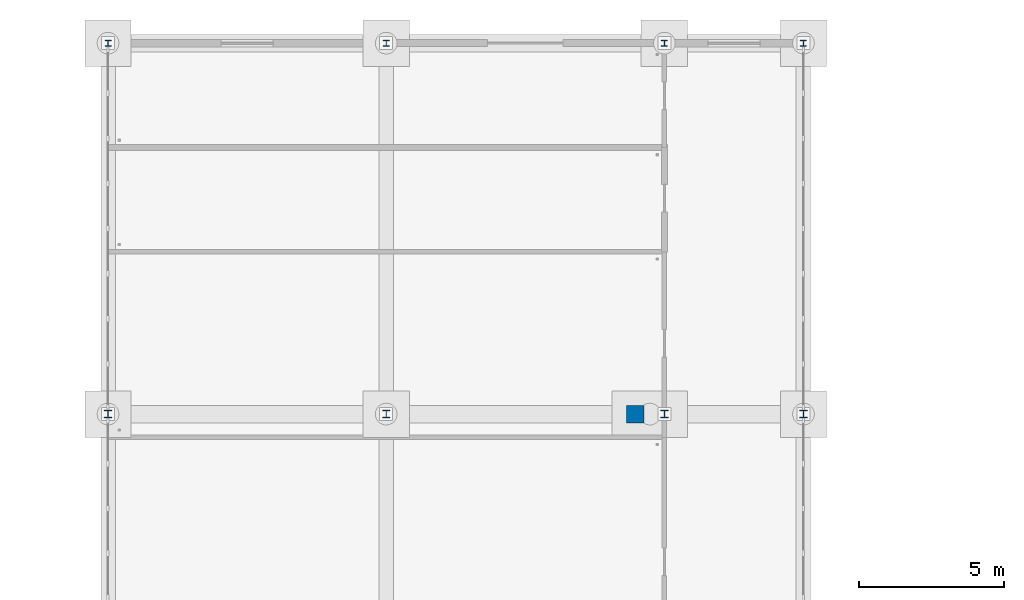
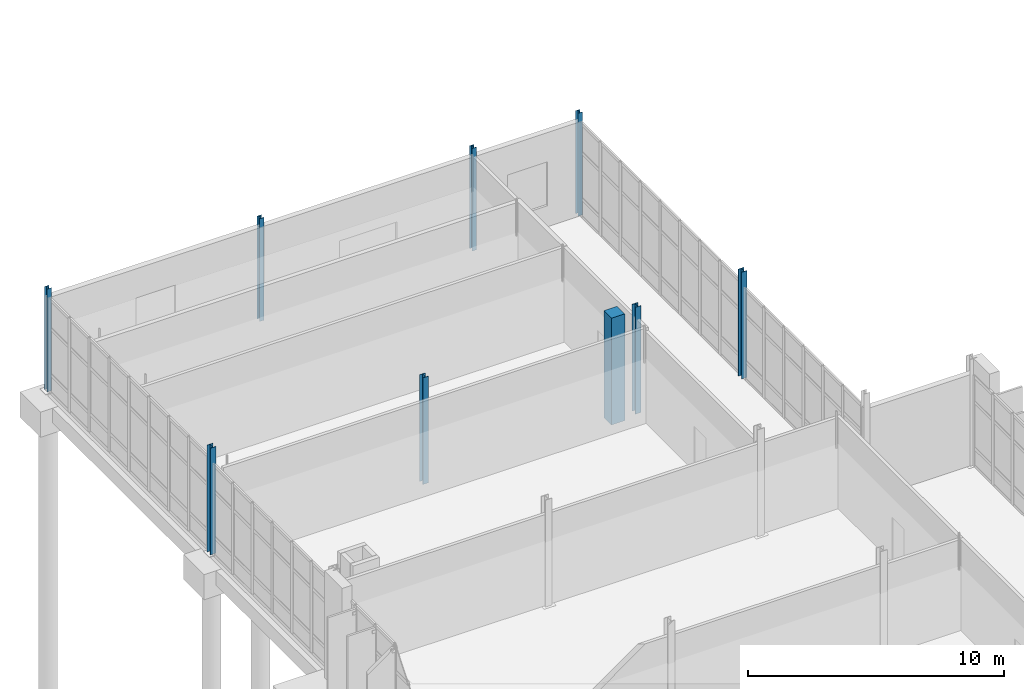
# One storey, part 17 of 111: 9 columns.
"""IFC4 building model written with IfcOpenShell, lengths in metres."""

from ifc_helpers import new_model, si_unit, direction, frame, origin, origin_2d, place, context, subcontext, project, spatial, rectangle, i_section, extrude, material, material_profile, profile_set, type_object, element, save


model = new_model("IFC4")

# Units and contexts
model_context = context("Model", 3, precision=1e-05, world=origin(), true_north=direction((0.0, 1.0)))
body_context = subcontext(model_context, "Body", "Model", "MODEL_VIEW")
ifc_project = project(units=[si_unit("LENGTHUNIT", "METRE"), si_unit("AREAUNIT", "SQUARE_METRE"), si_unit("VOLUMEUNIT", "CUBIC_METRE"), si_unit("PLANEANGLEUNIT", "RADIAN"), si_unit("MASSUNIT", "GRAM", prefix="KILO")], contexts=[model_context])

# Site, building, storey
site_placement = place(None, origin())
site = spatial("IfcSite", under=ifc_project, at=site_placement, CompositionType="ELEMENT")
building_placement = place(site_placement, origin())
building = spatial("IfcBuilding", under=site, at=building_placement, Name="Dunescarp Central Library", CompositionType="ELEMENT")
storey_placement = place(building_placement, origin())
storey = spatial("IfcBuildingStorey", under=building, at=storey_placement, Name="L00", CompositionType="ELEMENT", Elevation=0.0)

# Columns
ifc_material_1 = material(Name="Concrete C40/50", Category="concrete")
ifc_material_profile_1 = material_profile(ifc_material_1, rectangle(XDim=0.60009765625, YDim=0.60009765625, at=origin_2d()), Name="RC 600x600")
ifc_profile_set_1 = profile_set([ifc_material_profile_1], Name="Concrete C40/50")
column_type_1 = type_object("IfcColumnType", Name="STR-COL-RC600", PredefinedType="COLUMN", material=ifc_profile_set_1)
column_placement = place(storey_placement, frame((18.199951171875, 99.199951171875, 0.0), z_axis=(0.0, 0.0, 1.0), x_axis=(1.0, 0.0, 0.0)))
element("IfcColumn", 1, at=column_placement, inside=storey, type_object=column_type_1, Name="L00 column TERP-182-992", PredefinedType="COLUMN", context=body_context, shape_type="SweptSolid", body=[
    extrude(rectangle(XDim=0.60009765625, YDim=0.60009765625, at=origin_2d()), origin(), (0.0, 0.0, 1.0), 5.10009765625),
])
ifc_material_2 = material(Name="Steel S355JR", Category="steel")
ifc_material_profile_2 = material_profile(ifc_material_2, i_section(OverallWidth=0.205810546875, OverallDepth=0.209716796875, WebThickness=0.009521484375, FlangeThickness=0.01416015625, at=origin_2d()), Name="UC 203x203x60")
ifc_profile_set_2 = profile_set([ifc_material_profile_2], Name="Steel S355JR")
column_type_2 = type_object("IfcColumnType", Name="STR-COL-UC203X60", PredefinedType="COLUMN", material=ifc_profile_set_2)
for number, where, z_axis, x_axis, name in (
    (2, (0.0, 112.0, 0.0), (0.0, 0.0, 1.0), (1.0, 0.0, 0.0), "L00 column V4N2-0"),
    (3, (9.60009765625, 112.0, 0.0), (0.0, 0.0, 1.0), (1.0, 0.0, 0.0), "L00 column V4N2-96"),
    (4, (19.199951171875, 112.0, 0.0), (0.0, 0.0, 1.0), (1.0, 0.0, 0.0), "L00 column V4N2-192"),
    (5, (24.0, 112.0, 0.0), (0.0, 0.0, 1.0), (1.0, 0.0, 0.0), "L00 column V4N2-240"),
):
    element("IfcColumn", number, at=place(storey_placement, frame(where, z_axis=z_axis, x_axis=x_axis)), inside=storey, type_object=column_type_2, Name=name, PredefinedType="COLUMN", context=body_context, shape_type="SweptSolid", body=[
        extrude(i_section(OverallWidth=0.205810546875, OverallDepth=0.209716796875, WebThickness=0.009521484375, FlangeThickness=0.01416015625, at=origin_2d()), origin(), (0.0, 0.0, 1.0), 4.909912109375),
    ])
ifc_material_profile_3 = material_profile(ifc_material_2, i_section(OverallWidth=0.25634765625, OverallDepth=0.26025390625, WebThickness=0.01025390625, FlangeThickness=0.017333984375, at=origin_2d()), Name="UC 254x254x89")
ifc_profile_set_3 = profile_set([ifc_material_profile_3], Name="Steel S355JR")
column_type_3 = type_object("IfcColumnType", Name="STR-COL-UC254X89", PredefinedType="COLUMN", material=ifc_profile_set_3)
for number, where, z_axis, x_axis, name in (
    (6, (0.0, 99.199951171875, 0.0), (0.0, 0.0, 1.0), (1.0, 0.0, 0.0), "L00 column V4N1-0"),
    (7, (9.60009765625, 99.199951171875, 0.0), (0.0, 0.0, 1.0), (1.0, 0.0, 0.0), "L00 column V4N1-96"),
    (8, (19.199951171875, 99.199951171875, 0.0), (0.0, 0.0, 1.0), (1.0, 0.0, 0.0), "L00 column V4N1-192"),
    (9, (24.0, 99.199951171875, 0.0), (0.0, 0.0, 1.0), (1.0, 0.0, 0.0), "L00 column V4N1-240"),
):
    element("IfcColumn", number, at=place(storey_placement, frame(where, z_axis=z_axis, x_axis=x_axis)), inside=storey, type_object=column_type_3, Name=name, PredefinedType="COLUMN", context=body_context, shape_type="SweptSolid", body=[
        extrude(i_section(OverallWidth=0.25634765625, OverallDepth=0.26025390625, WebThickness=0.01025390625, FlangeThickness=0.017333984375, at=origin_2d()), origin(), (0.0, 0.0, 1.0), 5.10009765625),
    ])

save(model, "model.ifc")
